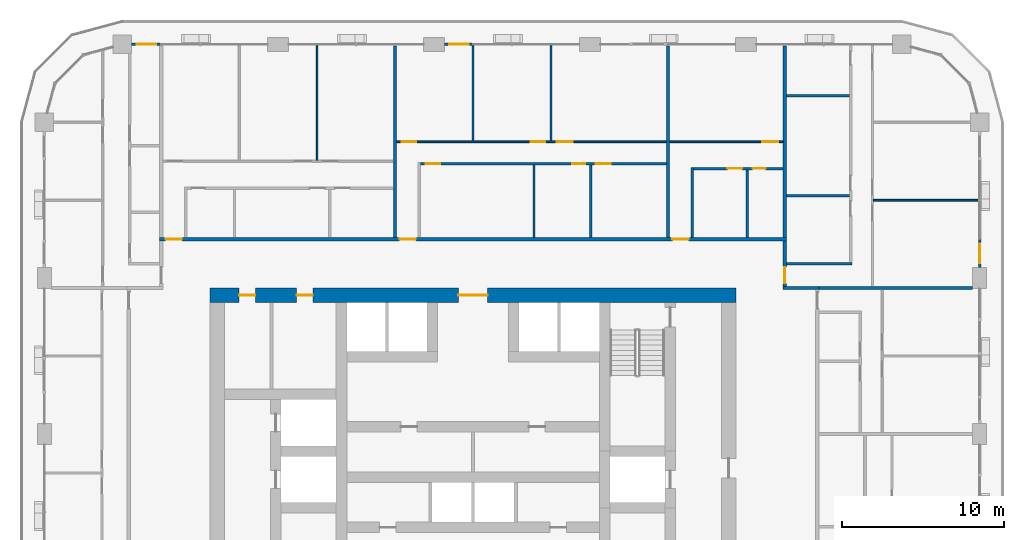
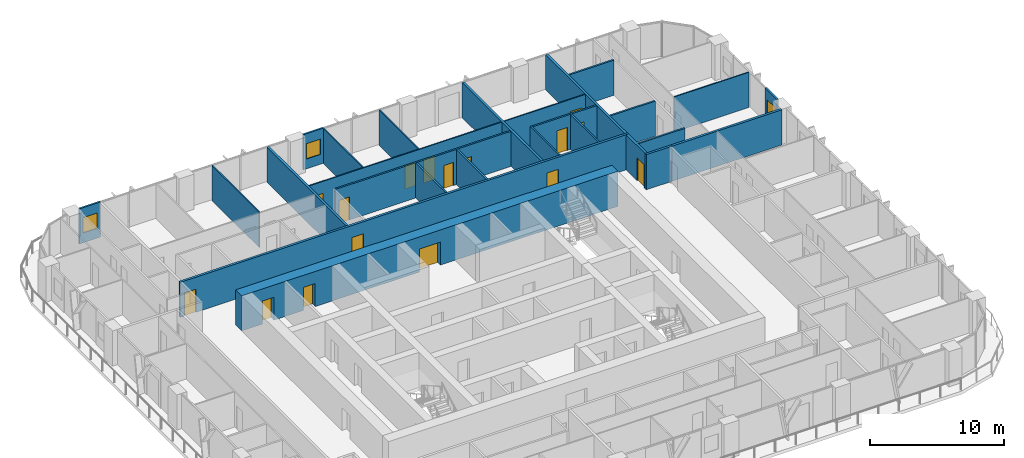
# One storey, part 14 of 21: 26 walls, 16 doors, 3 windows, 19 openings.
"""IFC4 building model written with IfcOpenShell, lengths in metres."""

from ifc_helpers import new_model, si_unit, direction, frame, frame_2d, origin, place, context, subcontext, project, spatial, rectangle, extrude, material, layer, layer_set, type_object, element, fill, save


model = new_model("IFC4")

# Units and contexts
model_context = context("Model", 3, precision=1e-05, world=origin(), true_north=direction((0.0, 1.0)))
body_context = subcontext(model_context, "Body", "Model", "MODEL_VIEW")
ifc_project = project(units=[si_unit("LENGTHUNIT", "METRE"), si_unit("AREAUNIT", "SQUARE_METRE"), si_unit("VOLUMEUNIT", "CUBIC_METRE"), si_unit("PLANEANGLEUNIT", "RADIAN"), si_unit("MASSUNIT", "GRAM", prefix="KILO")], contexts=[model_context])

# Site, building, storey
site_placement = place(None, origin())
site = spatial("IfcSite", under=ifc_project, at=site_placement, CompositionType="ELEMENT")
building_placement = place(site_placement, origin())
building = spatial("IfcBuilding", under=site, at=building_placement, Name="Madar Terraces", CompositionType="ELEMENT")
storey_placement = place(building_placement, frame((0.0, 0.0, 96.199951171875)))
storey = spatial("IfcBuildingStorey", under=building, at=storey_placement, Name="L24", CompositionType="ELEMENT", Elevation=96.199951171875)

# Wall, openings, doors
ifc_material_1 = material(Name="Concrete C80/95", Category="concrete")
ifc_layer_1 = layer(ifc_material_1, 0.89990234375)
ifc_layer_set_1 = layer_set([ifc_layer_1], Name="Concrete C80/95 (CRW2 RC wall 900)")
wall_type_1 = type_object("IfcWallType", Name="CRW2 RC wall 900", PredefinedType="SHEAR", material=ifc_layer_set_1)
wall_1_placement = place(storey_placement, frame((15.0, 37.35009765625, 0.0), z_axis=(0.0, 0.0, 1.0), x_axis=(1.0, 0.0, 0.0)))
wall_1 = element("IfcWall", 1, at=wall_1_placement, inside=storey, type_object=wall_type_1, Name="CORE OUTER WALL", PredefinedType="SHEAR", context=body_context, shape_type="SweptSolid", body=[
    extrude(rectangle(XDim=32.39990234375, YDim=0.89990234375, at=frame_2d((16.199951171875, 0.0))), origin(), (0.0, 0.0, 1.0), 3.199951171875),
])
opening_1_placement = place(wall_1_placement, frame((15.300048828125, 0.0, 0.0)))
opening_1 = element("IfcOpeningElement", 2, at=opening_1_placement, cuts=wall_1, Name="Opening KD1", PredefinedType="OPENING", context=body_context, shape_type="SweptSolid", body=[
    extrude(rectangle(XDim=1.800048828125, YDim=2.10009765625, at=frame_2d((0.89990234375, 1.050048828125))), frame((0.0, 0.4599609375, 0.0), z_axis=(0.0, -1.0, 0.0), x_axis=(1.0, 0.0, 0.0)), (0.0, 0.0, 1.0), 0.919921875),
])
opening_2_placement = place(wall_1_placement, frame((1.793701171875, 0.0, 0.0)))
opening_2 = element("IfcOpeningElement", 3, at=opening_2_placement, cuts=wall_1, Name="Opening KD2", PredefinedType="OPENING", context=body_context, shape_type="SweptSolid", body=[
    extrude(rectangle(XDim=1.0, YDim=2.10009765625, at=frame_2d((0.5, 1.050048828125))), frame((0.0, 0.4599609375, 0.0), z_axis=(0.0, -1.0, 0.0), x_axis=(1.0, 0.0, 0.0)), (0.0, 0.0, 1.0), 0.919921875),
])
opening_3_placement = place(wall_1_placement, frame((5.331298828125, 0.0, 0.0)))
opening_3 = element("IfcOpeningElement", 4, at=opening_3_placement, cuts=wall_1, Name="Opening KD2", PredefinedType="OPENING", context=body_context, shape_type="SweptSolid", body=[
    extrude(rectangle(XDim=1.0, YDim=2.10009765625, at=frame_2d((0.5, 1.050048828125))), frame((0.0, 0.4599609375, 0.0), z_axis=(0.0, -1.0, 0.0), x_axis=(1.0, 0.0, 0.0)), (0.0, 0.0, 1.0), 0.919921875),
])
ifc_material_2 = material(Name="Steel door leaf", Category="steel")
door_type_1 = type_object("IfcDoorType", Name="Lobby door pair 1800 x 2100", OperationType="DOUBLE_DOOR_SINGLE_SWING", PredefinedType="DOOR", material=ifc_material_2)
door_1_placement = place(opening_1_placement, origin())
door_1 = element("IfcDoor", 5, at=door_1_placement, inside=storey, type_object=door_type_1, Name="LIFT LOBBY DOOR", OperationType="DOUBLE_DOOR_SINGLE_SWING", OverallHeight=2.10009765625, OverallWidth=1.800048828125, PredefinedType="DOOR", context=body_context, shape_type="SweptSolid", body=[
    extrude(rectangle(XDim=1.800048828125, YDim=2.10009765625, at=frame_2d((0.89990234375, 1.050048828125))), frame((0.0, 0.02490234375, 0.0), z_axis=(0.0, -1.0, 0.0), x_axis=(1.0, 0.0, 0.0)), (0.0, 0.0, 1.0), 0.050048828125),
])
fill(opening_1, door_1)
ifc_material_3 = material(Name="Steel door leaf", Category="steel")
door_type_2 = type_object("IfcDoorType", Name="Service room door 1000 x 2100", OperationType="NOTDEFINED", PredefinedType="DOOR", material=ifc_material_3)
door_2_placement = place(opening_2_placement, origin())
door_2 = element("IfcDoor", 6, at=door_2_placement, inside=storey, type_object=door_type_2, Name="SERVICE ROOM DOOR", OperationType="SINGLE_SWING_LEFT", OverallHeight=2.10009765625, OverallWidth=1.0, PredefinedType="DOOR", context=body_context, shape_type="SweptSolid", body=[
    extrude(rectangle(XDim=1.0, YDim=2.10009765625, at=frame_2d((0.5, 1.050048828125))), frame((0.0, 0.02490234375, 0.0), z_axis=(0.0, -1.0, 0.0), x_axis=(1.0, 0.0, 0.0)), (0.0, 0.0, 1.0), 0.050048828125),
])
fill(opening_2, door_2)
door_3_placement = place(opening_3_placement, origin())
door_3 = element("IfcDoor", 7, at=door_3_placement, inside=storey, type_object=door_type_2, Name="SERVICE ROOM DOOR", OperationType="SINGLE_SWING_RIGHT", OverallHeight=2.10009765625, OverallWidth=1.0, PredefinedType="DOOR", context=body_context, shape_type="SweptSolid", body=[
    extrude(rectangle(XDim=1.0, YDim=2.10009765625, at=frame_2d((0.5, 1.050048828125))), frame((0.0, 0.02490234375, 0.0), z_axis=(0.0, -1.0, 0.0), x_axis=(1.0, 0.0, 0.0)), (0.0, 0.0, 1.0), 0.050048828125),
])
fill(opening_3, door_3)

# Wall, opening, window
ifc_material_4 = material(Name="Aluminium composite panel, black, over insulated backing", Category="aluminium")
ifc_layer_2 = layer(ifc_material_4, 0.14990234375)
ifc_layer_set_2 = layer_set([ifc_layer_2], Name="Facade bay panel 150")
wall_type_2 = type_object("IfcWallType", Name="Facade bay panel 150", PredefinedType="SOLIDWALL", material=ifc_layer_set_2)
wall_2_placement = place(storey_placement, frame((62.39990234375, 39.050048828125, 0.0), z_axis=(0.0, 0.0, 1.0), x_axis=(0.0, 1.0, 0.0)))
wall_2 = element("IfcWall", 8, at=wall_2_placement, inside=storey, type_object=wall_type_2, Name="Facade bay panel", PredefinedType="SOLIDWALL", context=body_context, shape_type="SweptSolid", body=[
    extrude(rectangle(XDim=1.75, YDim=0.14990234375, at=frame_2d((0.875, 0.0))), origin(), (0.0, 0.0, 1.0), 3.199951171875),
])
opening_4_placement = place(wall_2_placement, frame((0.27490234375, 0.0, 0.89990234375)))
opening_4 = element("IfcOpeningElement", 9, at=opening_4_placement, cuts=wall_2, Name="Opening W1", PredefinedType="OPENING", context=body_context, shape_type="SweptSolid", body=[
    extrude(rectangle(XDim=1.199951171875, YDim=1.39990234375, at=frame_2d((0.60009765625, 0.699951171875))), frame((0.0, 0.0849609375, 0.0), z_axis=(0.0, -1.0, 0.0), x_axis=(1.0, 0.0, 0.0)), (0.0, 0.0, 1.0), 0.169921875),
])
ifc_material_5 = material(Name="Glass, clear, with black aluminium frame", Category="aluminium")
window_type = type_object("IfcWindowType", Name="Vent window 1200 x 1400", PartitioningType="SINGLE_PANEL", PredefinedType="WINDOW", material=ifc_material_5)
window_1_placement = place(opening_4_placement, origin())
window_1 = element("IfcWindow", 10, at=window_1_placement, inside=storey, type_object=window_type, Name="Operable vent window", OverallHeight=1.39990234375, OverallWidth=1.199951171875, PartitioningType="SINGLE_PANEL", PredefinedType="WINDOW", context=body_context, shape_type="SweptSolid", body=[
    extrude(rectangle(XDim=1.199951171875, YDim=1.39990234375, at=frame_2d((0.60009765625, 0.699951171875))), frame((0.0, 0.030029296875, 0.0), z_axis=(0.0, -1.0, 0.0), x_axis=(1.0, 0.0, 0.0)), (0.0, 0.0, 1.0), 0.06005859375),
])
fill(opening_4, window_1)

wall_3_placement = place(storey_placement, frame((31.199951171875, 52.800048828125, 0.0), z_axis=(0.0, 0.0, 1.0), x_axis=(-1.0, 0.0, 0.0)))
wall_3 = element("IfcWall", 11, at=wall_3_placement, inside=storey, type_object=wall_type_2, Name="Facade bay panel", PredefinedType="SOLIDWALL", context=body_context, shape_type="SweptSolid", body=[
    extrude(rectangle(XDim=1.75, YDim=0.14990234375, at=frame_2d((0.875, 0.0))), origin(), (0.0, 0.0, 1.0), 3.199951171875),
])
opening_5_placement = place(wall_3_placement, frame((0.27490234375, 0.0, 0.89990234375)))
opening_5 = element("IfcOpeningElement", 12, at=opening_5_placement, cuts=wall_3, Name="Opening W1", PredefinedType="OPENING", context=body_context, shape_type="SweptSolid", body=[
    extrude(rectangle(XDim=1.199951171875, YDim=1.39990234375, at=frame_2d((0.60009765625, 0.699951171875))), frame((0.0, 0.0849609375, 0.0), z_axis=(0.0, -1.0, 0.0), x_axis=(1.0, 0.0, 0.0)), (0.0, 0.0, 1.0), 0.169921875),
])
window_2_placement = place(opening_5_placement, origin())
window_2 = element("IfcWindow", 13, at=window_2_placement, inside=storey, type_object=window_type, Name="Operable vent window", OverallHeight=1.39990234375, OverallWidth=1.199951171875, PartitioningType="SINGLE_PANEL", PredefinedType="WINDOW", context=body_context, shape_type="SweptSolid", body=[
    extrude(rectangle(XDim=1.199951171875, YDim=1.39990234375, at=frame_2d((0.60009765625, 0.699951171875))), frame((0.0, 0.030029296875, 0.0), z_axis=(0.0, -1.0, 0.0), x_axis=(1.0, 0.0, 0.0)), (0.0, 0.0, 1.0), 0.06005859375),
])
fill(opening_5, window_2)

wall_4_placement = place(storey_placement, frame((12.0, 52.800048828125, 0.0), z_axis=(0.0, 0.0, 1.0), x_axis=(-1.0, 0.0, 0.0)))
wall_4 = element("IfcWall", 14, at=wall_4_placement, inside=storey, type_object=wall_type_2, Name="Facade bay panel", PredefinedType="SOLIDWALL", context=body_context, shape_type="SweptSolid", body=[
    extrude(rectangle(XDim=1.824951171875, YDim=0.14990234375, at=frame_2d((0.91259765625, 0.0))), origin(), (0.0, 0.0, 1.0), 3.199951171875),
])
opening_6_placement = place(wall_4_placement, frame((0.3125, 0.0, 0.89990234375)))
opening_6 = element("IfcOpeningElement", 15, at=opening_6_placement, cuts=wall_4, Name="Opening W1", PredefinedType="OPENING", context=body_context, shape_type="SweptSolid", body=[
    extrude(rectangle(XDim=1.199951171875, YDim=1.39990234375, at=frame_2d((0.60009765625, 0.699951171875))), frame((0.0, 0.0849609375, 0.0), z_axis=(0.0, -1.0, 0.0), x_axis=(1.0, 0.0, 0.0)), (0.0, 0.0, 1.0), 0.169921875),
])
window_3_placement = place(opening_6_placement, origin())
window_3 = element("IfcWindow", 16, at=window_3_placement, inside=storey, type_object=window_type, Name="Operable vent window", OverallHeight=1.39990234375, OverallWidth=1.199951171875, PartitioningType="SINGLE_PANEL", PredefinedType="WINDOW", context=body_context, shape_type="SweptSolid", body=[
    extrude(rectangle(XDim=1.199951171875, YDim=1.39990234375, at=frame_2d((0.60009765625, 0.699951171875))), frame((0.0, 0.030029296875, 0.0), z_axis=(0.0, -1.0, 0.0), x_axis=(1.0, 0.0, 0.0)), (0.0, 0.0, 1.0), 0.06005859375),
])
fill(opening_6, window_3)

# Wall
ifc_material_6 = material(Name="Gypsum board on steel studs", Category="steel")
ifc_layer_3 = layer(ifc_material_6, 0.10009765625)
ifc_layer_set_3 = layer_set([ifc_layer_3], Name="Flat partition 100")
wall_type_3 = type_object("IfcWallType", Name="Flat partition 100", PredefinedType="PARTITIONING", material=ifc_layer_set_3)
wall_5_placement = place(storey_placement, frame((55.85009765625, 43.199951171875, 0.0), z_axis=(0.0, 0.0, 1.0), x_axis=(1.0, 0.0, 0.0)))
element("IfcWall", 17, at=wall_5_placement, inside=storey, type_object=wall_type_3, Name="Flat partition 100", PredefinedType="PARTITIONING", context=body_context, shape_type="SweptSolid", body=[
    extrude(rectangle(XDim=6.449951171875, YDim=0.10009765625, at=frame_2d((3.22509765625, 0.0))), origin(), (0.0, 0.0, 1.0), 3.199951171875),
])

# Wall, opening, door
wall_6_placement = place(storey_placement, frame((43.300048828125, 46.800048828125, 0.0), z_axis=(0.0, 0.0, 1.0), x_axis=(1.0, 0.0, 0.0)))
wall_6 = element("IfcWall", 18, at=wall_6_placement, inside=storey, type_object=wall_type_3, Name="Flat partition 100", PredefinedType="PARTITIONING", context=body_context, shape_type="SweptSolid", body=[
    extrude(rectangle(XDim=7.0, YDim=0.10009765625, at=frame_2d((3.5, 0.0))), origin(), (0.0, 0.0, 1.0), 3.199951171875),
])
opening_7_placement = place(wall_6_placement, frame((5.699951171875, 0.0, 0.0)))
opening_7 = element("IfcOpeningElement", 19, at=opening_7_placement, cuts=wall_6, Name="Opening D3", PredefinedType="OPENING", context=body_context, shape_type="SweptSolid", body=[
    extrude(rectangle(XDim=1.0, YDim=2.10009765625, at=frame_2d((0.5, 1.050048828125))), frame((0.0, 0.06005859375, 0.0), z_axis=(0.0, -1.0, 0.0), x_axis=(1.0, 0.0, 0.0)), (0.0, 0.0, 1.0), 0.1201171875),
])
ifc_material_7 = material(Name="Timber door leaf", Category="wood")
door_type_3 = type_object("IfcDoorType", Name="Flat living room door 1000", OperationType="NOTDEFINED", PredefinedType="DOOR", material=ifc_material_7)
door_4_placement = place(opening_7_placement, origin())
door_4 = element("IfcDoor", 20, at=door_4_placement, inside=storey, type_object=door_type_3, Name="Flat living room door 1000", OperationType="SINGLE_SWING_RIGHT", OverallHeight=2.10009765625, OverallWidth=1.0, PredefinedType="DOOR", context=body_context, shape_type="SweptSolid", body=[
    extrude(rectangle(XDim=1.0, YDim=2.10009765625, at=frame_2d((0.5, 1.050048828125))), frame((0.0, 0.02490234375, 0.0), z_axis=(0.0, -1.0, 0.0), x_axis=(1.0, 0.0, 0.0)), (0.0, 0.0, 1.0), 0.050048828125),
])
fill(opening_7, door_4)

# Walls
for number, where, z_axis, x_axis, name in (
    (21, (31.199951171875, 46.85009765625, 0.0), (0.0, 0.0, 1.0), (0.0, 1.0, 0.0), "Flat partition 100"),
    (22, (36.0, 46.85009765625, 0.0), (0.0, 0.0, 1.0), (0.0, 1.0, 0.0), "Flat partition 100"),
):
    element("IfcWall", number, at=place(storey_placement, frame(where, z_axis=z_axis, x_axis=x_axis)), inside=storey, type_object=wall_type_3, Name=name, PredefinedType="PARTITIONING", context=body_context, shape_type="SweptSolid", body=[
        extrude(rectangle(XDim=5.849853515625, YDim=0.10009765625, at=frame_2d((2.9248046875, 0.0))), origin(), (0.0, 0.0, 1.0), 3.199951171875),
    ])

# Wall, openings, doors
wall_7_placement = place(storey_placement, frame((26.5, 46.800048828125, 0.0), z_axis=(0.0, 0.0, 1.0), x_axis=(1.0, 0.0, 0.0)))
wall_7 = element("IfcWall", 23, at=wall_7_placement, inside=storey, type_object=wall_type_3, Name="Flat partition 100", PredefinedType="PARTITIONING", context=body_context, shape_type="SweptSolid", body=[
    extrude(rectangle(XDim=16.60009765625, YDim=0.10009765625, at=frame_2d((8.300048828125, 0.0))), origin(), (0.0, 0.0, 1.0), 3.199951171875),
])
opening_8_placement = place(wall_7_placement, frame((0.300048828125, 0.0, 0.0)))
opening_8 = element("IfcOpeningElement", 24, at=opening_8_placement, cuts=wall_7, Name="Opening D2", PredefinedType="OPENING", context=body_context, shape_type="SweptSolid", body=[
    extrude(rectangle(XDim=0.89990234375, YDim=2.10009765625, at=frame_2d((0.449951171875, 1.050048828125))), frame((0.0, 0.06005859375, 0.0), z_axis=(0.0, -1.0, 0.0), x_axis=(1.0, 0.0, 0.0)), (0.0, 0.0, 1.0), 0.1201171875),
])
opening_9_placement = place(wall_7_placement, frame((8.25, 0.0, 0.0)))
opening_9 = element("IfcOpeningElement", 25, at=opening_9_placement, cuts=wall_7, Name="Opening D2", PredefinedType="OPENING", context=body_context, shape_type="SweptSolid", body=[
    extrude(rectangle(XDim=0.89990234375, YDim=2.10009765625, at=frame_2d((0.449951171875, 1.050048828125))), frame((0.0, 0.06005859375, 0.0), z_axis=(0.0, -1.0, 0.0), x_axis=(1.0, 0.0, 0.0)), (0.0, 0.0, 1.0), 0.1201171875),
])
opening_10_placement = place(wall_7_placement, frame((9.85009765625, 0.0, 0.0)))
opening_10 = element("IfcOpeningElement", 26, at=opening_10_placement, cuts=wall_7, Name="Opening D3", PredefinedType="OPENING", context=body_context, shape_type="SweptSolid", body=[
    extrude(rectangle(XDim=1.0, YDim=2.10009765625, at=frame_2d((0.5, 1.050048828125))), frame((0.0, 0.06005859375, 0.0), z_axis=(0.0, -1.0, 0.0), x_axis=(1.0, 0.0, 0.0)), (0.0, 0.0, 1.0), 0.1201171875),
])
door_5_placement = place(opening_10_placement, origin())
door_5 = element("IfcDoor", 27, at=door_5_placement, inside=storey, type_object=door_type_3, Name="Flat living room door 1000", OperationType="SINGLE_SWING_LEFT", OverallHeight=2.10009765625, OverallWidth=1.0, PredefinedType="DOOR", context=body_context, shape_type="SweptSolid", body=[
    extrude(rectangle(XDim=1.0, YDim=2.10009765625, at=frame_2d((0.5, 1.050048828125))), frame((0.0, 0.02490234375, 0.0), z_axis=(0.0, -1.0, 0.0), x_axis=(1.0, 0.0, 0.0)), (0.0, 0.0, 1.0), 0.050048828125),
])
fill(opening_10, door_5)
ifc_material_8 = material(Name="Timber door leaf", Category="wood")
door_type_4 = type_object("IfcDoorType", Name="Flat room door 900", OperationType="NOTDEFINED", PredefinedType="DOOR", material=ifc_material_8)
door_6_placement = place(opening_8_placement, origin())
door_6 = element("IfcDoor", 28, at=door_6_placement, inside=storey, type_object=door_type_4, Name="Flat room door 900", OperationType="SINGLE_SWING_LEFT", OverallHeight=2.10009765625, OverallWidth=0.89990234375, PredefinedType="DOOR", context=body_context, shape_type="SweptSolid", body=[
    extrude(rectangle(XDim=0.89990234375, YDim=2.10009765625, at=frame_2d((0.449951171875, 1.050048828125))), frame((0.0, 0.02490234375, 0.0), z_axis=(0.0, -1.0, 0.0), x_axis=(1.0, 0.0, 0.0)), (0.0, 0.0, 1.0), 0.050048828125),
])
fill(opening_8, door_6)
door_7_placement = place(opening_9_placement, origin())
door_7 = element("IfcDoor", 29, at=door_7_placement, inside=storey, type_object=door_type_4, Name="Flat room door 900", OperationType="SINGLE_SWING_RIGHT", OverallHeight=2.10009765625, OverallWidth=0.89990234375, PredefinedType="DOOR", context=body_context, shape_type="SweptSolid", body=[
    extrude(rectangle(XDim=0.89990234375, YDim=2.10009765625, at=frame_2d((0.449951171875, 1.050048828125))), frame((0.0, 0.02490234375, 0.0), z_axis=(0.0, -1.0, 0.0), x_axis=(1.0, 0.0, 0.0)), (0.0, 0.0, 1.0), 0.050048828125),
])
fill(opening_9, door_7)

# Walls
wall_8_placement = place(storey_placement, frame((21.60009765625, 45.64990234375, 0.0), z_axis=(0.0, 0.0, 1.0), x_axis=(0.0, 1.0, 0.0)))
element("IfcWall", 30, at=wall_8_placement, inside=storey, type_object=wall_type_3, Name="Flat partition 100", PredefinedType="PARTITIONING", context=body_context, shape_type="SweptSolid", body=[
    extrude(rectangle(XDim=7.050048828125, YDim=0.10009765625, at=frame_2d((3.52490234375, 0.0))), origin(), (0.0, 0.0, 1.0), 3.199951171875),
])
ifc_material_9 = material(Name="Lightweight blockwork", Category="masonry")
ifc_layer_4 = layer(ifc_material_9, 0.199951171875)
ifc_layer_set_4 = layer_set([ifc_layer_4], Name="Flat party and entrance wall 200")
wall_type_4 = type_object("IfcWallType", Name="Flat party and entrance wall 200", PredefinedType="PARTITIONING", material=ifc_layer_set_4)
wall_9_placement = place(storey_placement, frame((52.5, 37.800048828125, 0.0), z_axis=(0.0, 0.0, 1.0), x_axis=(-1.0, 0.0, 0.0)))
element("IfcWall", 31, at=wall_9_placement, inside=storey, type_object=wall_type_4, Name="Flat party and entrance wall 200", PredefinedType="PARTITIONING", context=body_context, shape_type="SweptSolid", body=[
    extrude(rectangle(XDim=2.199951171875, YDim=0.199951171875, at=frame_2d((1.10009765625, 0.0))), origin(), (0.0, 0.0, 1.0), 3.199951171875),
])

# Wall, opening, door
wall_10_placement = place(storey_placement, frame((50.39990234375, 40.699951171875, 0.0), z_axis=(0.0, 0.0, 1.0), x_axis=(0.0, -1.0, 0.0)))
wall_10 = element("IfcWall", 32, at=wall_10_placement, inside=storey, type_object=wall_type_4, Name="Flat party and entrance wall 200", PredefinedType="PARTITIONING", context=body_context, shape_type="SweptSolid", body=[
    extrude(rectangle(XDim=2.800048828125, YDim=0.199951171875, at=frame_2d((1.39990234375, 0.0))), origin(), (0.0, 0.0, 1.0), 3.199951171875),
])
opening_11_placement = place(wall_10_placement, frame((1.625, 0.0, 0.0)))
opening_11 = element("IfcOpeningElement", 33, at=opening_11_placement, cuts=wall_10, Name="Opening D1", PredefinedType="OPENING", context=body_context, shape_type="SweptSolid", body=[
    extrude(rectangle(XDim=1.0, YDim=2.10009765625, at=frame_2d((0.5, 1.050048828125))), frame((0.0, 0.10986328125, 0.0), z_axis=(0.0, -1.0, 0.0), x_axis=(1.0, 0.0, 0.0)), (0.0, 0.0, 1.0), 0.219970703125),
])
ifc_material_10 = material(Name="Timber fire door leaf", Category="wood")
door_type_5 = type_object("IfcDoorType", Name="Flat entrance door 1000 FD30S", OperationType="NOTDEFINED", PredefinedType="DOOR", material=ifc_material_10)
door_8_placement = place(opening_11_placement, origin())
door_8 = element("IfcDoor", 34, at=door_8_placement, inside=storey, type_object=door_type_5, Name="Flat entrance door 1000 FD30S", OperationType="SINGLE_SWING_RIGHT", OverallHeight=2.10009765625, OverallWidth=1.0, PredefinedType="DOOR", context=body_context, shape_type="SweptSolid", body=[
    extrude(rectangle(XDim=1.0, YDim=2.10009765625, at=frame_2d((0.5, 1.050048828125))), frame((0.0, 0.02490234375, 0.0), z_axis=(0.0, -1.0, 0.0), x_axis=(1.0, 0.0, 0.0)), (0.0, 0.0, 1.0), 0.050048828125),
])
fill(opening_11, door_8)

# Wall, openings, doors
wall_11_placement = place(storey_placement, frame((11.89990234375, 40.800048828125, 0.0), z_axis=(0.0, 0.0, 1.0), x_axis=(1.0, 0.0, 0.0)))
wall_11 = element("IfcWall", 35, at=wall_11_placement, inside=storey, type_object=wall_type_4, Name="Flat party and entrance wall 200", PredefinedType="PARTITIONING", context=body_context, shape_type="SweptSolid", body=[
    extrude(rectangle(XDim=38.60009765625, YDim=0.199951171875, at=frame_2d((19.300048828125, 0.0))), origin(), (0.0, 0.0, 1.0), 3.199951171875),
])
opening_12_placement = place(wall_11_placement, frame((31.574951171875, 0.0, 0.0)))
opening_12 = element("IfcOpeningElement", 36, at=opening_12_placement, cuts=wall_11, Name="Opening D1", PredefinedType="OPENING", context=body_context, shape_type="SweptSolid", body=[
    extrude(rectangle(XDim=1.0, YDim=2.10009765625, at=frame_2d((0.5, 1.050048828125))), frame((0.0, 0.10986328125, 0.0), z_axis=(0.0, -1.0, 0.0), x_axis=(1.0, 0.0, 0.0)), (0.0, 0.0, 1.0), 0.219970703125),
])
opening_13_placement = place(wall_11_placement, frame((14.77490234375, 0.0, 0.0)))
opening_13 = element("IfcOpeningElement", 37, at=opening_13_placement, cuts=wall_11, Name="Opening D1", PredefinedType="OPENING", context=body_context, shape_type="SweptSolid", body=[
    extrude(rectangle(XDim=1.0, YDim=2.10009765625, at=frame_2d((0.5, 1.050048828125))), frame((0.0, 0.10986328125, 0.0), z_axis=(0.0, -1.0, 0.0), x_axis=(1.0, 0.0, 0.0)), (0.0, 0.0, 1.0), 0.219970703125),
])
opening_14_placement = place(wall_11_placement, frame((0.375, 0.0, 0.0)))
opening_14 = element("IfcOpeningElement", 38, at=opening_14_placement, cuts=wall_11, Name="Opening D1", PredefinedType="OPENING", context=body_context, shape_type="SweptSolid", body=[
    extrude(rectangle(XDim=1.0, YDim=2.10009765625, at=frame_2d((0.5, 1.050048828125))), frame((0.0, 0.10986328125, 0.0), z_axis=(0.0, -1.0, 0.0), x_axis=(1.0, 0.0, 0.0)), (0.0, 0.0, 1.0), 0.219970703125),
])
door_9_placement = place(opening_12_placement, origin())
door_9 = element("IfcDoor", 39, at=door_9_placement, inside=storey, type_object=door_type_5, Name="Flat entrance door 1000 FD30S", OperationType="SINGLE_SWING_LEFT", OverallHeight=2.10009765625, OverallWidth=1.0, PredefinedType="DOOR", context=body_context, shape_type="SweptSolid", body=[
    extrude(rectangle(XDim=1.0, YDim=2.10009765625, at=frame_2d((0.5, 1.050048828125))), frame((0.0, 0.02490234375, 0.0), z_axis=(0.0, -1.0, 0.0), x_axis=(1.0, 0.0, 0.0)), (0.0, 0.0, 1.0), 0.050048828125),
])
fill(opening_12, door_9)
door_10_placement = place(opening_13_placement, origin())
door_10 = element("IfcDoor", 40, at=door_10_placement, inside=storey, type_object=door_type_5, Name="Flat entrance door 1000 FD30S", OperationType="SINGLE_SWING_LEFT", OverallHeight=2.10009765625, OverallWidth=1.0, PredefinedType="DOOR", context=body_context, shape_type="SweptSolid", body=[
    extrude(rectangle(XDim=1.0, YDim=2.10009765625, at=frame_2d((0.5, 1.050048828125))), frame((0.0, 0.02490234375, 0.0), z_axis=(0.0, -1.0, 0.0), x_axis=(1.0, 0.0, 0.0)), (0.0, 0.0, 1.0), 0.050048828125),
])
fill(opening_13, door_10)
door_11_placement = place(opening_14_placement, origin())
door_11 = element("IfcDoor", 41, at=door_11_placement, inside=storey, type_object=door_type_5, Name="Flat entrance door 1000 FD30S", OperationType="SINGLE_SWING_LEFT", OverallHeight=2.10009765625, OverallWidth=1.0, PredefinedType="DOOR", context=body_context, shape_type="SweptSolid", body=[
    extrude(rectangle(XDim=1.0, YDim=2.10009765625, at=frame_2d((0.5, 1.050048828125))), frame((0.0, 0.02490234375, 0.0), z_axis=(0.0, -1.0, 0.0), x_axis=(1.0, 0.0, 0.0)), (0.0, 0.0, 1.0), 0.050048828125),
])
fill(opening_14, door_11)

# Walls
wall_12_placement = place(storey_placement, frame((52.5, 37.800048828125, 0.0), z_axis=(0.0, 0.0, 1.0), x_axis=(1.0, 0.0, 0.0)))
element("IfcWall", 42, at=wall_12_placement, inside=storey, type_object=wall_type_4, Name="Flat party and entrance wall 200", PredefinedType="PARTITIONING", context=body_context, shape_type="SweptSolid", body=[
    extrude(rectangle(XDim=9.47509765625, YDim=0.199951171875, at=frame_2d((4.737548828125, 0.0))), origin(), (0.0, 0.0, 1.0), 3.199951171875),
])
for number, where, z_axis, x_axis, name in (
    (43, (50.39990234375, 40.89990234375, 0.0), (0.0, 0.0, 1.0), (0.0, 1.0, 0.0), "Flat party and entrance wall 200"),
    (44, (43.199951171875, 52.699951171875, 0.0), (0.0, 0.0, 1.0), (0.0, -1.0, 0.0), "Flat party and entrance wall 200"),
    (45, (26.39990234375, 52.699951171875, 0.0), (0.0, 0.0, 1.0), (0.0, -1.0, 0.0), "Flat party and entrance wall 200"),
):
    element("IfcWall", number, at=place(storey_placement, frame(where, z_axis=z_axis, x_axis=x_axis)), inside=storey, type_object=wall_type_4, Name=name, PredefinedType="PARTITIONING", context=body_context, shape_type="SweptSolid", body=[
        extrude(rectangle(XDim=11.800048828125, YDim=0.199951171875, at=frame_2d((5.89990234375, 0.0))), origin(), (0.0, 0.0, 1.0), 3.199951171875),
    ])
ifc_material_11 = material(Name="Lightweight blockwork", Category="masonry")
ifc_layer_5 = layer(ifc_material_11, 0.14990234375)
ifc_layer_set_5 = layer_set([ifc_layer_5], Name="Flat wet-room partition 150")
wall_type_5 = type_object("IfcWallType", Name="Flat wet-room partition 150", PredefinedType="PARTITIONING", material=ifc_layer_set_5)
for number, where, z_axis, x_axis, name in (
    (46, (50.5, 43.47509765625, 0.0), (0.0, 0.0, 1.0), (1.0, 0.0, 0.0), "Flat wet-room partition 150"),
    (47, (50.5, 49.625, 0.0), (0.0, 0.0, 1.0), (1.0, 0.0, 0.0), "Flat wet-room partition 150"),
):
    element("IfcWall", number, at=place(storey_placement, frame(where, z_axis=z_axis, x_axis=x_axis)), inside=storey, type_object=wall_type_5, Name=name, PredefinedType="PARTITIONING", context=body_context, shape_type="SweptSolid", body=[
        extrude(rectangle(XDim=3.875, YDim=0.14990234375, at=frame_2d((1.9375, 0.0))), origin(), (0.0, 0.0, 1.0), 3.199951171875),
    ])
wall_13_placement = place(storey_placement, frame((50.5, 39.300048828125, 0.0), z_axis=(0.0, 0.0, 1.0), x_axis=(1.0, 0.0, 0.0)))
element("IfcWall", 48, at=wall_13_placement, inside=storey, type_object=wall_type_5, Name="Flat wet-room partition 150", PredefinedType="PARTITIONING", context=body_context, shape_type="SweptSolid", body=[
    extrude(rectangle(XDim=4.02490234375, YDim=0.14990234375, at=frame_2d((2.012451171875, 0.0))), origin(), (0.0, 0.0, 1.0), 3.199951171875),
])
wall_14_placement = place(storey_placement, frame((48.090087890625, 40.89990234375, 0.0), z_axis=(0.0, 0.0, 1.0), x_axis=(0.0, 1.0, 0.0)))
element("IfcWall", 49, at=wall_14_placement, inside=storey, type_object=wall_type_5, Name="Flat wet-room partition 150", PredefinedType="PARTITIONING", context=body_context, shape_type="SweptSolid", body=[
    extrude(rectangle(XDim=4.175048828125, YDim=0.14990234375, at=frame_2d((2.08740234375, 0.0))), origin(), (0.0, 0.0, 1.0), 3.199951171875),
])
wall_15_placement = place(storey_placement, frame((44.699951171875, 40.89990234375, 0.0), z_axis=(0.0, 0.0, 1.0), x_axis=(0.0, 1.0, 0.0)))
element("IfcWall", 50, at=wall_15_placement, inside=storey, type_object=wall_type_5, Name="Flat wet-room partition 150", PredefinedType="PARTITIONING", context=body_context, shape_type="SweptSolid", body=[
    extrude(rectangle(XDim=4.3251953125, YDim=0.14990234375, at=frame_2d((2.16259765625, 0.0))), origin(), (0.0, 0.0, 1.0), 3.199951171875),
])

# Wall, openings, doors
wall_16_placement = place(storey_placement, frame((50.300048828125, 45.14990234375, 0.0), z_axis=(0.0, 0.0, 1.0), x_axis=(-1.0, 0.0, 0.0)))
wall_16 = element("IfcWall", 51, at=wall_16_placement, inside=storey, type_object=wall_type_5, Name="Flat wet-room partition 150", PredefinedType="PARTITIONING", context=body_context, shape_type="SweptSolid", body=[
    extrude(rectangle(XDim=5.525146484375, YDim=0.14990234375, at=frame_2d((2.7626953125, 0.0))), origin(), (0.0, 0.0, 1.0), 3.199951171875),
])
opening_15_placement = place(wall_16_placement, frame((2.534912109375, 0.0, 0.0)))
opening_15 = element("IfcOpeningElement", 52, at=opening_15_placement, cuts=wall_16, Name="Opening D2", PredefinedType="OPENING", context=body_context, shape_type="SweptSolid", body=[
    extrude(rectangle(XDim=0.89990234375, YDim=2.10009765625, at=frame_2d((0.449951171875, 1.050048828125))), frame((0.0, 0.0849609375, 0.0), z_axis=(0.0, -1.0, 0.0), x_axis=(1.0, 0.0, 0.0)), (0.0, 0.0, 1.0), 0.169921875),
])
opening_16_placement = place(wall_16_placement, frame((1.0849609375, 0.0, 0.0)))
opening_16 = element("IfcOpeningElement", 53, at=opening_16_placement, cuts=wall_16, Name="Opening D4", PredefinedType="OPENING", context=body_context, shape_type="SweptSolid", body=[
    extrude(rectangle(XDim=0.800048828125, YDim=2.10009765625, at=frame_2d((0.39990234375, 1.050048828125))), frame((0.0, 0.0849609375, 0.0), z_axis=(0.0, -1.0, 0.0), x_axis=(1.0, 0.0, 0.0)), (0.0, 0.0, 1.0), 0.169921875),
])
ifc_material_12 = material(Name="Timber door leaf", Category="wood")
door_type_6 = type_object("IfcDoorType", Name="Flat bathroom door 800", OperationType="NOTDEFINED", PredefinedType="DOOR", material=ifc_material_12)
door_12_placement = place(opening_16_placement, origin())
door_12 = element("IfcDoor", 54, at=door_12_placement, inside=storey, type_object=door_type_6, Name="Flat bathroom door 800", OperationType="SINGLE_SWING_RIGHT", OverallHeight=2.10009765625, OverallWidth=0.800048828125, PredefinedType="DOOR", context=body_context, shape_type="SweptSolid", body=[
    extrude(rectangle(XDim=0.800048828125, YDim=2.10009765625, at=frame_2d((0.39990234375, 1.050048828125))), frame((0.0, 0.02490234375, 0.0), z_axis=(0.0, -1.0, 0.0), x_axis=(1.0, 0.0, 0.0)), (0.0, 0.0, 1.0), 0.050048828125),
])
fill(opening_16, door_12)
door_13_placement = place(opening_15_placement, origin())
door_13 = element("IfcDoor", 55, at=door_13_placement, inside=storey, type_object=door_type_4, Name="Flat room door 900", OperationType="SINGLE_SWING_LEFT", OverallHeight=2.10009765625, OverallWidth=0.89990234375, PredefinedType="DOOR", context=body_context, shape_type="SweptSolid", body=[
    extrude(rectangle(XDim=0.89990234375, YDim=2.10009765625, at=frame_2d((0.449951171875, 1.050048828125))), frame((0.0, 0.02490234375, 0.0), z_axis=(0.0, -1.0, 0.0), x_axis=(1.0, 0.0, 0.0)), (0.0, 0.0, 1.0), 0.050048828125),
])
fill(opening_15, door_13)

# Walls
for number, where, z_axis, x_axis, name in (
    (56, (34.955810546875, 40.89990234375, 0.0), (0.0, 0.0, 1.0), (0.0, 1.0, 0.0), "Flat wet-room partition 150"),
    (57, (38.4462890625, 40.89990234375, 0.0), (0.0, 0.0, 1.0), (0.0, 1.0, 0.0), "Flat wet-room partition 150"),
):
    element("IfcWall", number, at=place(storey_placement, frame(where, z_axis=z_axis, x_axis=x_axis)), inside=storey, type_object=wall_type_5, Name=name, PredefinedType="PARTITIONING", context=body_context, shape_type="SweptSolid", body=[
        extrude(rectangle(XDim=4.47509765625, YDim=0.14990234375, at=frame_2d((2.237548828125, 0.0))), origin(), (0.0, 0.0, 1.0), 3.199951171875),
    ])

# Wall, openings, doors
wall_17_placement = place(storey_placement, frame((43.10009765625, 45.449951171875, 0.0), z_axis=(0.0, 0.0, 1.0), x_axis=(-1.0, 0.0, 0.0)))
wall_17 = element("IfcWall", 58, at=wall_17_placement, inside=storey, type_object=wall_type_5, Name="Flat wet-room partition 150", PredefinedType="PARTITIONING", context=body_context, shape_type="SweptSolid", body=[
    extrude(rectangle(XDim=15.125, YDim=0.14990234375, at=frame_2d((7.5625, 0.0))), origin(), (0.0, 0.0, 1.0), 3.199951171875),
])
opening_17_placement = place(wall_17_placement, frame((13.925048828125, 0.0, 0.0)))
opening_17 = element("IfcOpeningElement", 59, at=opening_17_placement, cuts=wall_17, Name="Opening D2", PredefinedType="OPENING", context=body_context, shape_type="SweptSolid", body=[
    extrude(rectangle(XDim=0.89990234375, YDim=2.10009765625, at=frame_2d((0.449951171875, 1.050048828125))), frame((0.0, 0.0849609375, 0.0), z_axis=(0.0, -1.0, 0.0), x_axis=(1.0, 0.0, 0.0)), (0.0, 0.0, 1.0), 0.169921875),
])
opening_18_placement = place(wall_17_placement, frame((4.978759765625, 0.0, 0.0)))
opening_18 = element("IfcOpeningElement", 60, at=opening_18_placement, cuts=wall_17, Name="Opening D4", PredefinedType="OPENING", context=body_context, shape_type="SweptSolid", body=[
    extrude(rectangle(XDim=0.800048828125, YDim=2.10009765625, at=frame_2d((0.39990234375, 1.050048828125))), frame((0.0, 0.0849609375, 0.0), z_axis=(0.0, -1.0, 0.0), x_axis=(1.0, 0.0, 0.0)), (0.0, 0.0, 1.0), 0.169921875),
])
opening_19_placement = place(wall_17_placement, frame((3.4287109375, 0.0, 0.0)))
opening_19 = element("IfcOpeningElement", 61, at=opening_19_placement, cuts=wall_17, Name="Opening D5", PredefinedType="OPENING", context=body_context, shape_type="SweptSolid", body=[
    extrude(rectangle(XDim=0.89990234375, YDim=2.10009765625, at=frame_2d((0.449951171875, 1.050048828125))), frame((0.0, 0.0849609375, 0.0), z_axis=(0.0, -1.0, 0.0), x_axis=(1.0, 0.0, 0.0)), (0.0, 0.0, 1.0), 0.169921875),
])
ifc_material_13 = material(Name="Timber door leaf", Category="wood")
door_type_7 = type_object("IfcDoorType", Name="Flat accessible bathroom door 900", OperationType="NOTDEFINED", PredefinedType="DOOR", material=ifc_material_13)
door_14_placement = place(opening_19_placement, origin())
door_14 = element("IfcDoor", 62, at=door_14_placement, inside=storey, type_object=door_type_7, Name="Flat accessible bathroom door 900", OperationType="SINGLE_SWING_RIGHT", OverallHeight=2.10009765625, OverallWidth=0.89990234375, PredefinedType="DOOR", context=body_context, shape_type="SweptSolid", body=[
    extrude(rectangle(XDim=0.89990234375, YDim=2.10009765625, at=frame_2d((0.449951171875, 1.050048828125))), frame((0.0, 0.02490234375, 0.0), z_axis=(0.0, -1.0, 0.0), x_axis=(1.0, 0.0, 0.0)), (0.0, 0.0, 1.0), 0.050048828125),
])
fill(opening_19, door_14)
door_15_placement = place(opening_18_placement, origin())
door_15 = element("IfcDoor", 63, at=door_15_placement, inside=storey, type_object=door_type_6, Name="Flat bathroom door 800", OperationType="SINGLE_SWING_LEFT", OverallHeight=2.10009765625, OverallWidth=0.800048828125, PredefinedType="DOOR", context=body_context, shape_type="SweptSolid", body=[
    extrude(rectangle(XDim=0.800048828125, YDim=2.10009765625, at=frame_2d((0.39990234375, 1.050048828125))), frame((0.0, 0.02490234375, 0.0), z_axis=(0.0, -1.0, 0.0), x_axis=(1.0, 0.0, 0.0)), (0.0, 0.0, 1.0), 0.050048828125),
])
fill(opening_18, door_15)
door_16_placement = place(opening_17_placement, origin())
door_16 = element("IfcDoor", 64, at=door_16_placement, inside=storey, type_object=door_type_4, Name="Flat room door 900", OperationType="SINGLE_SWING_RIGHT", OverallHeight=2.10009765625, OverallWidth=0.89990234375, PredefinedType="DOOR", context=body_context, shape_type="SweptSolid", body=[
    extrude(rectangle(XDim=0.89990234375, YDim=2.10009765625, at=frame_2d((0.449951171875, 1.050048828125))), frame((0.0, 0.02490234375, 0.0), z_axis=(0.0, -1.0, 0.0), x_axis=(1.0, 0.0, 0.0)), (0.0, 0.0, 1.0), 0.050048828125),
])
fill(opening_17, door_16)

save(model, "model.ifc")
